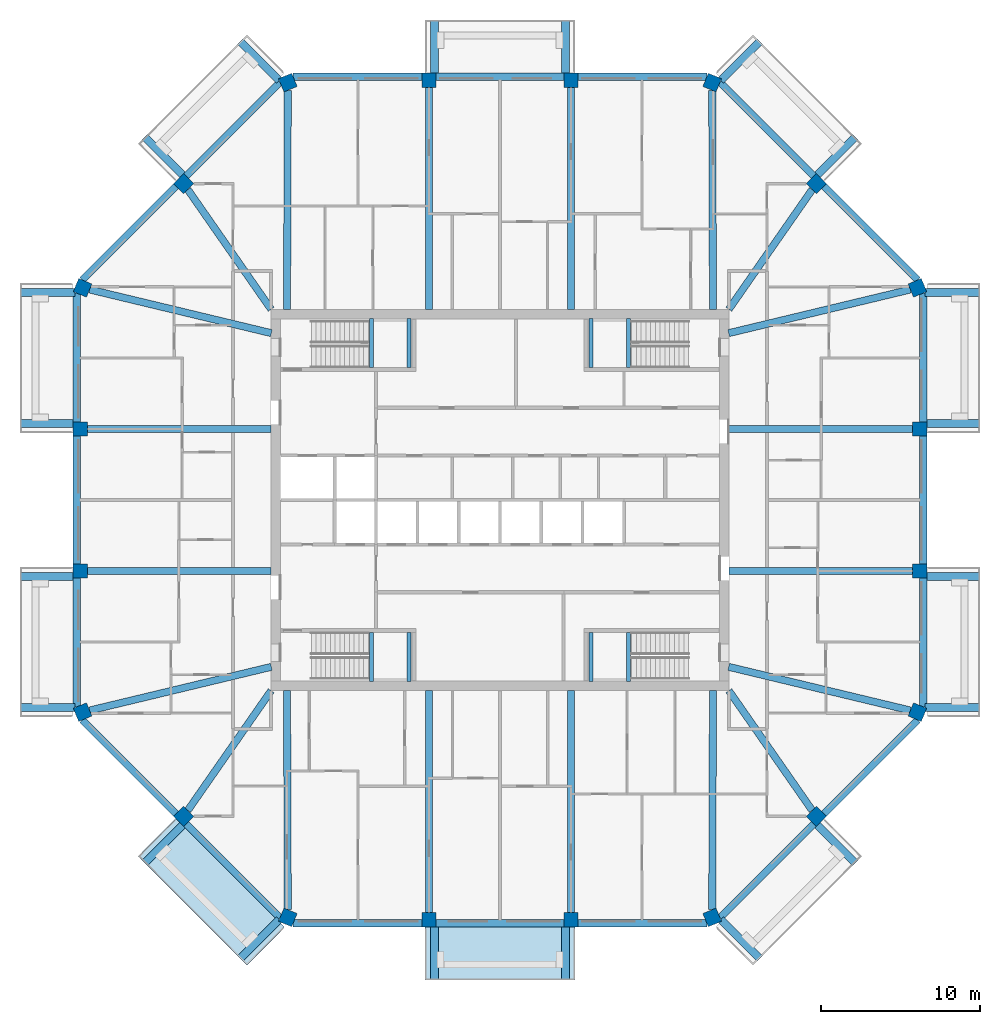
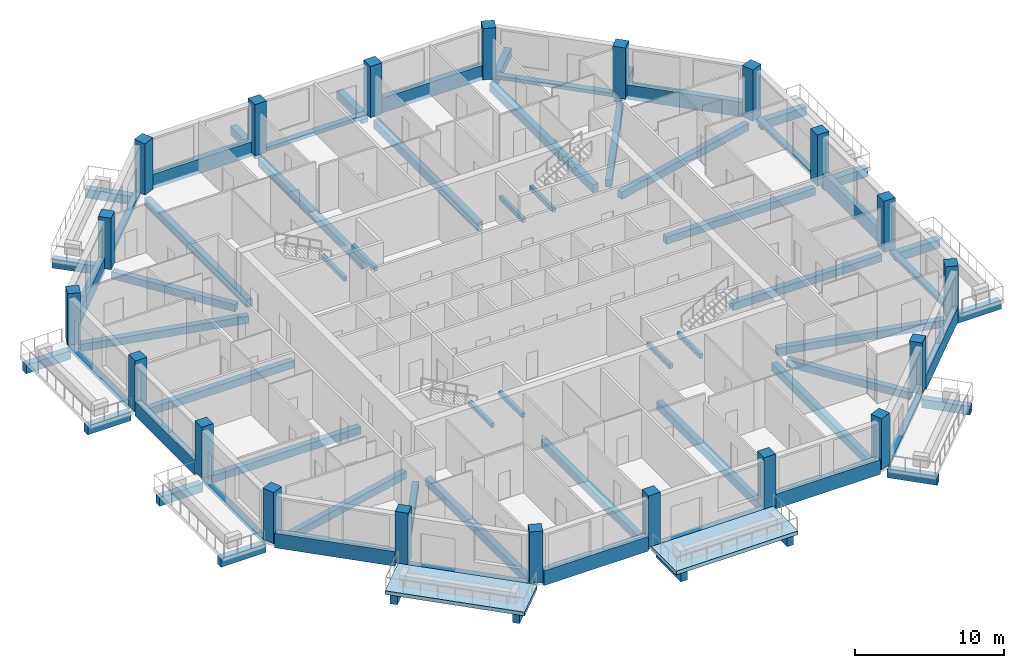
# One storey, part 1 of 12: 68 beams, 20 columns, 2 slabs.
"""IFC4 building model written with IfcOpenShell, lengths in metres."""

import ifcopenshell
import ifcopenshell.guid

model = None  # the IFC model being written
_history = None  # IfcOwnerHistory: only IFC2X3 demands one
_inside = {}  # id of a spatial element -> (the spatial element, [elements in it])
_under = {}  # id of a project, library or spatial element -> (it, [spatial elements below it])
_declared = {}  # id of a project -> (the project, [libraries it declares])
_typed = {}  # id of a type object -> (the type object, [elements of that type])
_made_of = {}  # id of a material, layer set ... -> (it, [elements and type objects made of it])


def new_model(schema):
    """Start an empty IFC model of exactly this schema.

    Asked for "IFC4X3", IfcOpenShell would pick the latest addendum, in which some entities
    have other attributes; the version numbers below select the first issue.
    IFC2X3 requires an IfcOwnerHistory on every rooted entity: one is made here for all.
    """
    global model, _history
    if schema == "IFC4X3":
        model = ifcopenshell.file(schema_version=(4, 3, 0, 0))
    else:
        model = ifcopenshell.file(schema=schema)
    _inside.clear()
    _under.clear()
    _declared.clear()
    _typed.clear()
    _made_of.clear()
    _history = None
    if model.schema == "IFC2X3":
        org = make("IfcOrganization", Name="unknown")
        user = make(
            "IfcPersonAndOrganization",
            ThePerson=make("IfcPerson", FamilyName="unknown"),
            TheOrganization=org,
        )
        app = make(
            "IfcApplication",
            ApplicationDeveloper=org,
            Version="unknown",
            ApplicationFullName="unknown",
            ApplicationIdentifier="unknown",
        )
        _history = make(
            "IfcOwnerHistory",
            OwningUser=user,
            OwningApplication=app,
            ChangeAction="ADDED",
            CreationDate=0,
        )
    return model


def make(cls, **values):
    """One entity of the class cls with the attributes given. An attribute that is None is left unset."""
    return model.create_entity(
        cls, **{name: value for name, value in values.items() if value is not None}
    )


def rooted(cls, **values):
    """An entity with a GlobalId (a new one), such as an element, a storey or a relation."""
    return make(cls, GlobalId=ifcopenshell.guid.new(), OwnerHistory=_history, **values)


def si_unit(unit_type, name, prefix=None):
    """IfcSIUnit, for example si_unit("LENGTHUNIT", "METRE", prefix="MILLI")."""
    return make("IfcSIUnit", UnitType=unit_type, Prefix=prefix, Name=name)


def assignment(units):
    """IfcUnitAssignment: the units of a project."""
    return None if units is None else make("IfcUnitAssignment", Units=units)


def point(xyz):
    """IfcCartesianPoint."""
    return None if xyz is None else make("IfcCartesianPoint", Coordinates=xyz)


def direction(xyz):
    """IfcDirection."""
    return None if xyz is None else make("IfcDirection", DirectionRatios=xyz)


def frame(location, z_axis=None, x_axis=None):
    """IfcAxis2Placement3D, a coordinate frame: its origin and axes. An axis left out is left unset."""
    return make(
        "IfcAxis2Placement3D",
        Location=point(location),
        Axis=direction(z_axis),
        RefDirection=direction(x_axis),
    )


def frame_2d(location, x_axis=None):
    """IfcAxis2Placement2D, a coordinate frame in the plane: its origin and x axis."""
    return make(
        "IfcAxis2Placement2D", Location=point(location), RefDirection=direction(x_axis)
    )


def origin():
    """The frame at (0, 0, 0) with its axes left unset."""
    return frame((0.0, 0.0, 0.0))


def origin_2d():
    """The frame at (0, 0) in the plane with its x axis left unset."""
    return frame_2d((0.0, 0.0))


def place(relative_to, where):
    """IfcLocalPlacement: puts the frame where relative to a parent placement (None: the world)."""
    return make(
        "IfcLocalPlacement", PlacementRelTo=relative_to, RelativePlacement=where
    )


def context(
    kind, dimensions, precision=None, world=None, true_north=None, identifier=None
):
    """IfcGeometricRepresentationContext, for example the 3D "Model" context."""
    return make(
        "IfcGeometricRepresentationContext",
        ContextIdentifier=identifier,
        ContextType=kind,
        CoordinateSpaceDimension=dimensions,
        Precision=precision,
        WorldCoordinateSystem=world,
        TrueNorth=true_north,
    )


def subcontext(parent, identifier, kind, view, scale=None):
    """IfcGeometricRepresentationSubContext, for example "Body" below "Model"."""
    return make(
        "IfcGeometricRepresentationSubContext",
        ContextIdentifier=identifier,
        ContextType=kind,
        ParentContext=parent,
        TargetScale=scale,
        TargetView=view,
    )


def project(units=None, contexts=None):
    """IfcProject with its units and contexts."""
    return rooted(
        "IfcProject",
        Name="project",
        RepresentationContexts=contexts,
        UnitsInContext=assignment(units),
    )


def spatial(cls, under=None, at=None, **own):
    """A site, building, storey or space (cls), placed at a placement, below another one or the project."""
    s = rooted(cls, ObjectPlacement=at, **own)
    if under is not None:
        _under.setdefault(under.id(), (under, []))[1].append(s)
    return s


def polyline(points):
    """IfcPolyline through the points."""
    return make("IfcPolyline", Points=[point(p) for p in points])


def profile(cls, at=None, kind="AREA", **sizes):
    """A parametric profile (cls). Its sizes go by their IFC names, for example OverallWidth=200.0."""
    return make(cls, ProfileType=kind, Position=at, **sizes)


def rectangle(**sizes):
    """IfcRectangleProfileDef."""
    return profile("IfcRectangleProfileDef", **sizes)


def outline(outer, holes=None, kind="AREA"):
    """IfcArbitraryClosedProfileDef: a profile drawn as a closed curve; with holes, ...WithVoids."""
    if holes is None:
        return make("IfcArbitraryClosedProfileDef", ProfileType=kind, OuterCurve=outer)
    return make(
        "IfcArbitraryProfileDefWithVoids",
        ProfileType=kind,
        OuterCurve=outer,
        InnerCurves=holes,
    )


def extrude(swept, where, along, depth):
    """IfcExtrudedAreaSolid: the profile swept, set in the frame where, extruded along a direction by depth."""
    return make(
        "IfcExtrudedAreaSolid",
        SweptArea=swept,
        Position=where,
        ExtrudedDirection=direction(along),
        Depth=depth,
    )


def shape(context_of_items, identifier, shape_type, items):
    """IfcShapeRepresentation: the items that make up one representation, for example the "Body"."""
    return make(
        "IfcShapeRepresentation",
        ContextOfItems=context_of_items,
        RepresentationIdentifier=identifier,
        RepresentationType=shape_type,
        Items=items,
    )


def material(Name=None, Category=None):
    """IfcMaterial."""
    return make("IfcMaterial", Name=Name, Category=Category)


def layer(
    of_material, thickness, ventilated=None, Name=None, Category=None, Priority=None
):
    """IfcMaterialLayer: one layer of a wall or slab, of a material (None: an air gap)."""
    return make(
        "IfcMaterialLayer",
        Material=of_material,
        LayerThickness=thickness,
        IsVentilated=ventilated,
        Name=Name,
        Category=Category,
        Priority=Priority,
    )


def layer_set(layers, Name=None):
    """IfcMaterialLayerSet."""
    return make("IfcMaterialLayerSet", MaterialLayers=layers, LayerSetName=Name)


def material_profile(
    of_material, cross_section, Name=None, Category=None, Priority=None
):
    """IfcMaterialProfile: a cross section and its material."""
    return make(
        "IfcMaterialProfile",
        Name=Name,
        Material=of_material,
        Profile=cross_section,
        Priority=Priority,
        Category=Category,
    )


def profile_set(profiles, Name=None, composite=None):
    """IfcMaterialProfileSet."""
    return make(
        "IfcMaterialProfileSet",
        Name=Name,
        MaterialProfiles=profiles,
        CompositeProfile=composite,
    )


def made_of(thing, what):
    """Note that an element or type object is made of a material, layer set ...; save() writes the relation."""
    if what is not None:
        _made_of.setdefault(what.id(), (what, []))[1].append(thing)
    return thing


def type_object(cls, material=None, **own):
    """A type object (cls), such as IfcWallType, which elements share."""
    return made_of(rooted(cls, **own), material)


def element(
    cls,
    number,
    at=None,
    inside=None,
    cuts=None,
    type_object=None,
    material=None,
    context=None,
    identifier="Body",
    shape_type=None,
    held_by="IfcProductDefinitionShape",
    body=None,
    shapes=None,
    **own,
):
    """One element of the class cls, such as IfcWall. Its Tag is "e" and its number.

    at: its placement. inside: the storey or other place that contains it. cuts: it is an
    opening in that element (IfcRelVoidsElement). A single representation is given by context,
    identifier, shape_type and body (its items); several are given by shapes. held_by: the class
    of the entity that holds the representations. save() writes the other relations.
    """
    e = rooted(cls, Tag="e%d" % number, ObjectPlacement=at, **own)
    if body is not None:
        shapes = [shape(context, identifier, shape_type, body)]
    if shapes is not None:
        e.Representation = make(held_by, Representations=shapes)
    if inside is not None:
        _inside.setdefault(inside.id(), (inside, []))[1].append(e)
    if cuts is not None:
        rooted(
            "IfcRelVoidsElement", RelatingBuildingElement=cuts, RelatedOpeningElement=e
        )
    if type_object is not None:
        _typed.setdefault(type_object.id(), (type_object, []))[1].append(e)
    return made_of(e, material)


def aggregate(whole, parts):
    """IfcRelAggregates: a whole, such as a stair, and the parts it consists of."""
    return rooted("IfcRelAggregates", RelatingObject=whole, RelatedObjects=parts)


def save(model, path):
    """Write the relations noted so far, then the file.

    IfcRelAggregates (storeys below a building ...), IfcRelContainedInSpatialStructure (elements
    in a storey), IfcRelDefinesByType, IfcRelAssociatesMaterial and IfcRelDeclares: one each for
    every whole, place, type object, material and project.
    """
    for whole, parts in _under.values():
        aggregate(whole, parts)
    for where, things in _inside.values():
        rooted(
            "IfcRelContainedInSpatialStructure",
            RelatedElements=things,
            RelatingStructure=where,
        )
    for kind, things in _typed.values():
        rooted("IfcRelDefinesByType", RelatedObjects=things, RelatingType=kind)
    for what, things in _made_of.values():
        rooted("IfcRelAssociatesMaterial", RelatedObjects=things, RelatingMaterial=what)
    for by, libraries in _declared.values():
        rooted("IfcRelDeclares", RelatingContext=by, RelatedDefinitions=libraries)
    model.write(path)


model = new_model("IFC4")

# Units and contexts
model_context = context("Model", 3, precision=1e-05, world=origin(), true_north=direction((0.0, 1.0)))
body_context = subcontext(model_context, "Body", "Model", "MODEL_VIEW")
ifc_project = project(units=[si_unit("LENGTHUNIT", "METRE"), si_unit("AREAUNIT", "SQUARE_METRE"), si_unit("VOLUMEUNIT", "CUBIC_METRE"), si_unit("PLANEANGLEUNIT", "RADIAN"), si_unit("MASSUNIT", "GRAM", prefix="KILO")], contexts=[model_context])

# Site, building, storey
site_placement = place(None, origin())
site = spatial("IfcSite", under=ifc_project, at=site_placement, CompositionType="ELEMENT")
building_placement = place(site_placement, origin())
building = spatial("IfcBuilding", under=site, at=building_placement, Name="Msitu Wima Residences", CompositionType="ELEMENT")
storey_placement = place(building_placement, frame((0.0, 0.0, 272.699951171875)))
storey = spatial("IfcBuildingStorey", under=building, at=storey_placement, Name="L63", CompositionType="ELEMENT", Elevation=272.699951171875)

# Columns
ifc_material_1 = material(Name="Concrete C50/60", Category="concrete")
ifc_material_profile_1 = material_profile(ifc_material_1, rectangle(XDim=0.89990234375, YDim=0.89990234375, at=origin_2d()), Name="RC 900x900")
ifc_profile_set_1 = profile_set([ifc_material_profile_1], Name="Concrete C50/60")
column_type = type_object("IfcColumnType", Name="Column RC 900x900 Concrete C50/60", PredefinedType="COLUMN", material=ifc_profile_set_1)
for number, where, z_axis, x_axis, name in (
    (1, (26.261962890625, -13.3486328125, 0.0), (0.0, 0.0, 1.0), (0.382683496864, 0.923879505795, 0.0), "Column L63 C-E0"),
    (2, (26.39990234375, -4.46875, 0.0), (0.0, 0.0, 1.0), (0.0, 1.0, 0.0), "Column L63 C-E1"),
    (3, (26.39990234375, 4.46875, 0.0), (0.0, 0.0, 1.0), (0.0, 1.0, 0.0), "Column L63 C-E2"),
    (4, (26.261962890625, 13.3486328125, 0.0), (0.0, 0.0, 1.0), (-0.382683496864, 0.923879505795, 0.0), "Column L63 C-NE0"),
    (5, (19.90283203125, 19.90283203125, 0.0), (0.0, 0.0, 1.0), (-0.707106781187, 0.707106781187, 0.0), "Column L63 C-NE1"),
    (6, (13.3486328125, 26.261962890625, 0.0), (0.0, 0.0, 1.0), (-0.923879505795, 0.382683496864, 0.0), "Column L63 C-N0"),
    (7, (4.46875, 26.39990234375, 0.0), (0.0, 0.0, 1.0), (-1.0, 0.0, 0.0), "Column L63 C-N1"),
    (8, (-4.46875, 26.39990234375, 0.0), (0.0, 0.0, 1.0), (-1.0, 0.0, 0.0), "Column L63 C-N2"),
    (9, (-13.3486328125, 26.261962890625, 0.0), (0.0, 0.0, 1.0), (-0.923879505795, -0.382683496864, 0.0), "Column L63 C-NW0"),
    (10, (-19.90283203125, 19.90283203125, 0.0), (0.0, 0.0, 1.0), (-0.707106781187, -0.707106781187, 0.0), "Column L63 C-NW1"),
    (11, (-26.261962890625, 13.3486328125, 0.0), (0.0, 0.0, 1.0), (-0.382683496864, -0.923879505795, 0.0), "Column L63 C-W0"),
    (12, (-26.39990234375, 4.46875, 0.0), (0.0, 0.0, 1.0), (0.0, -1.0, 0.0), "Column L63 C-W1"),
    (13, (-26.39990234375, -4.46875, 0.0), (0.0, 0.0, 1.0), (0.0, -1.0, 0.0), "Column L63 C-W2"),
    (14, (-26.261962890625, -13.3486328125, 0.0), (0.0, 0.0, 1.0), (0.382683496864, -0.923879505795, 0.0), "Column L63 C-SW0"),
    (15, (-19.90283203125, -19.90283203125, 0.0), (0.0, 0.0, 1.0), (0.707106781187, -0.707106781187, 0.0), "Column L63 C-SW1"),
    (16, (-13.3486328125, -26.261962890625, 0.0), (0.0, 0.0, 1.0), (0.923879505795, -0.382683496864, 0.0), "Column L63 C-S0"),
    (17, (-4.46875, -26.39990234375, 0.0), (0.0, 0.0, 1.0), (1.0, 0.0, 0.0), "Column L63 C-S1"),
    (18, (4.46875, -26.39990234375, 0.0), (0.0, 0.0, 1.0), (1.0, 0.0, 0.0), "Column L63 C-S2"),
    (19, (13.3486328125, -26.261962890625, 0.0), (0.0, 0.0, 1.0), (0.923879505795, 0.382683496864, 0.0), "Column L63 C-SE0"),
    (20, (19.90283203125, -19.90283203125, 0.0), (0.0, 0.0, 1.0), (0.707106781187, 0.707106781187, 0.0), "Column L63 C-SE1"),
):
    element("IfcColumn", number, at=place(storey_placement, frame(where, z_axis=z_axis, x_axis=x_axis)), inside=storey, type_object=column_type, Name=name, PredefinedType="COLUMN", context=body_context, shape_type="SweptSolid", body=[
        extrude(rectangle(XDim=0.89990234375, YDim=0.89990234375, at=origin_2d()), origin(), (0.0, 0.0, 1.0), 4.199951171875),
    ])

# Beams
ifc_material_profile_2 = material_profile(ifc_material_1, rectangle(XDim=0.449951171875, YDim=0.60009765625, at=origin_2d()), Name="RC 450x600")
ifc_profile_set_2 = profile_set([ifc_material_profile_2], Name="Concrete C50/60")
beam_type_1 = type_object("IfcBeamType", Name="Beam RC 450x600 Concrete C50/60", PredefinedType="BEAM", material=ifc_profile_set_2)
beam_1_placement = place(storey_placement, frame((25.819091796875, -13.242431640625, -0.550048828125), z_axis=(-0.972353359268, 0.233514335148, 0.0), x_axis=(-0.233514335148, -0.972353359268, 0.0)))
element("IfcBeam", 21, at=beam_1_placement, inside=storey, type_object=beam_type_1, Name="Beam L63 C-E0", PredefinedType="BEAM", context=body_context, shape_type="SweptSolid", body=[
    extrude(rectangle(XDim=0.449951171875, YDim=0.60009765625, at=origin_2d()), origin(), (0.0, 0.0, 1.0), 11.755615234375),
])
for number, where, z_axis, x_axis, name in (
    (22, (25.949951171875, -4.46875, -0.550048828125), (-1.0, 0.0, 0.0), (0.0, -1.0, 0.0), "Beam L63 C-E1"),
    (23, (25.949951171875, 4.46875, -0.550048828125), (-1.0, 0.0, 0.0), (0.0, -1.0, 0.0), "Beam L63 C-E2"),
):
    element("IfcBeam", number, at=place(storey_placement, frame(where, z_axis=z_axis, x_axis=x_axis)), inside=storey, type_object=beam_type_1, Name=name, PredefinedType="BEAM", context=body_context, shape_type="SweptSolid", body=[
        extrude(rectangle(XDim=0.449951171875, YDim=0.60009765625, at=origin_2d()), origin(), (0.0, 0.0, 1.0), 11.550048828125),
    ])
beam_2_placement = place(storey_placement, frame((25.819091796875, 13.242431640625, -0.550048828125), z_axis=(-0.972353359268, -0.233514335148, 0.0), x_axis=(0.233514335148, -0.972353359268, 0.0)))
element("IfcBeam", 24, at=beam_2_placement, inside=storey, type_object=beam_type_1, Name="Beam L63 C-NE0", PredefinedType="BEAM", context=body_context, shape_type="SweptSolid", body=[
    extrude(rectangle(XDim=0.449951171875, YDim=0.60009765625, at=origin_2d()), origin(), (0.0, 0.0, 1.0), 11.755615234375),
])
for number, where, z_axis, x_axis, name in (
    (25, (19.6416015625, 19.52783203125, -0.550048828125), (-0.571427822633, -0.820652328042, 0.0), (0.820652328042, -0.571427822633, 0.0), "Beam L63 C-NE1"),
    (26, (-19.6416015625, 19.52783203125, -0.550048828125), (0.571427822633, -0.820652328042, 0.0), (0.820652328042, 0.571427822633, 0.0), "Beam L63 C-NW1"),
):
    element("IfcBeam", number, at=place(storey_placement, frame(where, z_axis=z_axis, x_axis=x_axis)), inside=storey, type_object=beam_type_1, Name=name, PredefinedType="BEAM", context=body_context, shape_type="SweptSolid", body=[
        extrude(rectangle(XDim=0.449951171875, YDim=0.60009765625, at=origin_2d()), origin(), (0.0, 0.0, 1.0), 9.173095703125),
    ])
beam_3_placement = place(storey_placement, frame((-25.819091796875, 13.242431640625, -0.550048828125), z_axis=(0.972353359268, -0.233514335148, 0.0), x_axis=(0.233514335148, 0.972353359268, 0.0)))
element("IfcBeam", 27, at=beam_3_placement, inside=storey, type_object=beam_type_1, Name="Beam L63 C-W0", PredefinedType="BEAM", context=body_context, shape_type="SweptSolid", body=[
    extrude(rectangle(XDim=0.449951171875, YDim=0.60009765625, at=origin_2d()), origin(), (0.0, 0.0, 1.0), 11.755615234375),
])
for number, where, z_axis, x_axis, name in (
    (28, (-25.949951171875, 4.46875, -0.550048828125), (1.0, 0.0, 0.0), (0.0, 1.0, 0.0), "Beam L63 C-W1"),
    (29, (-25.949951171875, -4.46875, -0.550048828125), (1.0, 0.0, 0.0), (0.0, 1.0, 0.0), "Beam L63 C-W2"),
):
    element("IfcBeam", number, at=place(storey_placement, frame(where, z_axis=z_axis, x_axis=x_axis)), inside=storey, type_object=beam_type_1, Name=name, PredefinedType="BEAM", context=body_context, shape_type="SweptSolid", body=[
        extrude(rectangle(XDim=0.449951171875, YDim=0.60009765625, at=origin_2d()), origin(), (0.0, 0.0, 1.0), 11.550048828125),
    ])
beam_4_placement = place(storey_placement, frame((-25.819091796875, -13.242431640625, -0.550048828125), z_axis=(0.972353359268, 0.233514335148, 0.0), x_axis=(-0.233514335148, 0.972353359268, 0.0)))
element("IfcBeam", 30, at=beam_4_placement, inside=storey, type_object=beam_type_1, Name="Beam L63 C-SW0", PredefinedType="BEAM", context=body_context, shape_type="SweptSolid", body=[
    extrude(rectangle(XDim=0.449951171875, YDim=0.60009765625, at=origin_2d()), origin(), (0.0, 0.0, 1.0), 11.755615234375),
])
for number, where, z_axis, x_axis, name in (
    (31, (-19.6416015625, -19.52783203125, -0.550048828125), (0.571427822633, 0.820652328042, 0.0), (-0.820652328042, 0.571427822633, 0.0), "Beam L63 C-SW1"),
    (32, (19.6416015625, -19.52783203125, -0.550048828125), (-0.571427822633, 0.820652328042, 0.0), (-0.820652328042, -0.571427822633, 0.0), "Beam L63 C-SE1"),
):
    element("IfcBeam", number, at=place(storey_placement, frame(where, z_axis=z_axis, x_axis=x_axis)), inside=storey, type_object=beam_type_1, Name=name, PredefinedType="BEAM", context=body_context, shape_type="SweptSolid", body=[
        extrude(rectangle(XDim=0.449951171875, YDim=0.60009765625, at=origin_2d()), origin(), (0.0, 0.0, 1.0), 9.173095703125),
    ])
ifc_material_profile_3 = material_profile(ifc_material_1, rectangle(XDim=0.449951171875, YDim=0.64990234375, at=origin_2d()), Name="RC 450x650")
ifc_profile_set_3 = profile_set([ifc_material_profile_3], Name="Concrete C50/60")
beam_type_2 = type_object("IfcBeamType", Name="Beam RC 450x650 Concrete C50/60", PredefinedType="BEAM", material=ifc_profile_set_3)
beam_5_placement = place(storey_placement, frame((13.3505859375, 25.774169921875, -0.574951171875), z_axis=(0.003594933206, -0.999993538207, 0.0), x_axis=(0.999993538207, 0.003594933206, 0.0)))
element("IfcBeam", 33, at=beam_5_placement, inside=storey, type_object=beam_type_2, Name="Beam L63 C-N0", PredefinedType="BEAM", context=body_context, shape_type="SweptSolid", body=[
    extrude(rectangle(XDim=0.449951171875, YDim=0.64990234375, at=origin_2d()), origin(), (0.0, 0.0, 1.0), 13.7861328125),
])
for number, where, z_axis, x_axis, name in (
    (34, (4.46875, 25.949951171875, -0.574951171875), (0.0, -1.0, 0.0), (1.0, 0.0, 0.0), "Beam L63 C-N1"),
    (35, (-4.46875, 25.949951171875, -0.574951171875), (0.0, -1.0, 0.0), (1.0, 0.0, 0.0), "Beam L63 C-N2"),
):
    element("IfcBeam", number, at=place(storey_placement, frame(where, z_axis=z_axis, x_axis=x_axis)), inside=storey, type_object=beam_type_2, Name=name, PredefinedType="BEAM", context=body_context, shape_type="SweptSolid", body=[
        extrude(rectangle(XDim=0.449951171875, YDim=0.64990234375, at=origin_2d()), origin(), (0.0, 0.0, 1.0), 13.949951171875),
    ])
for number, where, z_axis, x_axis, name in (
    (36, (-13.3505859375, 25.774169921875, -0.574951171875), (-0.003594933206, -0.999993538207, 0.0), (0.999993538207, -0.003594933206, 0.0), "Beam L63 C-NW0"),
    (37, (-13.3505859375, -25.774169921875, -0.574951171875), (-0.003594933206, 0.999993538207, 0.0), (-0.999993538207, -0.003594933206, 0.0), "Beam L63 C-S0"),
):
    element("IfcBeam", number, at=place(storey_placement, frame(where, z_axis=z_axis, x_axis=x_axis)), inside=storey, type_object=beam_type_2, Name=name, PredefinedType="BEAM", context=body_context, shape_type="SweptSolid", body=[
        extrude(rectangle(XDim=0.449951171875, YDim=0.64990234375, at=origin_2d()), origin(), (0.0, 0.0, 1.0), 13.7861328125),
    ])
for number, where, z_axis, x_axis, name in (
    (38, (-4.46875, -25.949951171875, -0.574951171875), (0.0, 1.0, 0.0), (-1.0, 0.0, 0.0), "Beam L63 C-S1"),
    (39, (4.46875, -25.949951171875, -0.574951171875), (0.0, 1.0, 0.0), (-1.0, 0.0, 0.0), "Beam L63 C-S2"),
):
    element("IfcBeam", number, at=place(storey_placement, frame(where, z_axis=z_axis, x_axis=x_axis)), inside=storey, type_object=beam_type_2, Name=name, PredefinedType="BEAM", context=body_context, shape_type="SweptSolid", body=[
        extrude(rectangle(XDim=0.449951171875, YDim=0.64990234375, at=origin_2d()), origin(), (0.0, 0.0, 1.0), 13.949951171875),
    ])
beam_6_placement = place(storey_placement, frame((13.3505859375, -25.774169921875, -0.574951171875), z_axis=(0.003594933206, 0.999993538207, 0.0), x_axis=(-0.999993538207, 0.003594933206, 0.0)))
element("IfcBeam", 40, at=beam_6_placement, inside=storey, type_object=beam_type_2, Name="Beam L63 C-SE0", PredefinedType="BEAM", context=body_context, shape_type="SweptSolid", body=[
    extrude(rectangle(XDim=0.449951171875, YDim=0.64990234375, at=origin_2d()), origin(), (0.0, 0.0, 1.0), 13.7861328125),
])
ifc_material_profile_4 = material_profile(ifc_material_1, rectangle(XDim=0.5, YDim=0.699951171875, at=origin_2d()), Name="RC 500x700")
ifc_profile_set_4 = profile_set([ifc_material_profile_4], Name="Concrete C50/60")
beam_type_3 = type_object("IfcBeamType", Name="Cantilever beam RC 500x700 Concrete C50/60", PredefinedType="BEAM", material=ifc_profile_set_4)
beam_7_placement = place(storey_placement, frame((26.73095703125, -13.055908203125, -0.64990234375), z_axis=(1.0, 0.0, 0.0), x_axis=(0.0, 1.0, 0.0)))
element("IfcBeam", 41, at=beam_7_placement, inside=storey, type_object=beam_type_3, Name="Cantilever beam L63 BA-E0 A", PredefinedType="BEAM", context=body_context, shape_type="SweptSolid", body=[
    extrude(rectangle(XDim=0.5, YDim=0.699951171875, at=origin_2d()), origin(), (0.0, 0.0, 1.0), 3.468994140625),
])
for number, where, z_axis, x_axis, name in (
    (42, (26.85009765625, -4.818603515625, -0.64990234375), (1.0, 0.0, 0.0), (0.0, 1.0, 0.0), "Cantilever beam L63 BA-E0 B"),
    (43, (26.85009765625, 4.818603515625, -0.64990234375), (1.0, 0.0, 0.0), (0.0, 1.0, 0.0), "Cantilever beam L63 BA-E2 A"),
):
    element("IfcBeam", number, at=place(storey_placement, frame(where, z_axis=z_axis, x_axis=x_axis)), inside=storey, type_object=beam_type_3, Name=name, PredefinedType="BEAM", context=body_context, shape_type="SweptSolid", body=[
        extrude(rectangle(XDim=0.5, YDim=0.699951171875, at=origin_2d()), origin(), (0.0, 0.0, 1.0), 3.349853515625),
    ])
beam_8_placement = place(storey_placement, frame((26.73095703125, 13.055908203125, -0.64990234375), z_axis=(1.0, 0.0, 0.0), x_axis=(0.0, 1.0, 0.0)))
element("IfcBeam", 44, at=beam_8_placement, inside=storey, type_object=beam_type_3, Name="Cantilever beam L63 BA-E2 B", PredefinedType="BEAM", context=body_context, shape_type="SweptSolid", body=[
    extrude(rectangle(XDim=0.5, YDim=0.699951171875, at=origin_2d()), origin(), (0.0, 0.0, 1.0), 3.468994140625),
])
beam_9_placement = place(storey_placement, frame((19.9736328125, 20.46875, -0.64990234375), z_axis=(0.707143219659, 0.707070340836, 0.0), x_axis=(-0.707070340836, 0.707143219659, 0.0)))
element("IfcBeam", 45, at=beam_9_placement, inside=storey, type_object=beam_type_3, Name="Cantilever beam L63 BA-NE1 A", PredefinedType="BEAM", context=body_context, shape_type="SweptSolid", body=[
    extrude(rectangle(XDim=0.5, YDim=0.699951171875, at=origin_2d()), origin(), (0.0, 0.0, 1.0), 3.349853515625),
])
beam_10_placement = place(storey_placement, frame((13.887451171875, 26.386474609375, -0.64990234375), z_axis=(0.707071592116, 0.707141968506, 0.0), x_axis=(-0.707141968506, 0.707071592116, 0.0)))
element("IfcBeam", 46, at=beam_10_placement, inside=storey, type_object=beam_type_3, Name="Cantilever beam L63 BA-NE1 B", PredefinedType="BEAM", context=body_context, shape_type="SweptSolid", body=[
    extrude(rectangle(XDim=0.5, YDim=0.699951171875, at=origin_2d()), origin(), (0.0, 0.0, 1.0), 3.468994140625),
])
for number, where, z_axis, x_axis, name in (
    (47, (4.11865234375, 26.85009765625, -0.64990234375), (0.0, 1.0, 0.0), (-1.0, 0.0, 0.0), "Cantilever beam L63 BA-N1 A"),
    (48, (-4.11865234375, 26.85009765625, -0.64990234375), (0.0, 1.0, 0.0), (-1.0, 0.0, 0.0), "Cantilever beam L63 BA-N1 B"),
):
    element("IfcBeam", number, at=place(storey_placement, frame(where, z_axis=z_axis, x_axis=x_axis)), inside=storey, type_object=beam_type_3, Name=name, PredefinedType="BEAM", context=body_context, shape_type="SweptSolid", body=[
        extrude(rectangle(XDim=0.5, YDim=0.699951171875, at=origin_2d()), origin(), (0.0, 0.0, 1.0), 3.349853515625),
    ])
beam_11_placement = place(storey_placement, frame((-13.887451171875, 26.386474609375, -0.64990234375), z_axis=(-0.707071592116, 0.707141968506, 0.0), x_axis=(-0.707141968506, -0.707071592116, 0.0)))
element("IfcBeam", 49, at=beam_11_placement, inside=storey, type_object=beam_type_3, Name="Cantilever beam L63 BA-NW0 A", PredefinedType="BEAM", context=body_context, shape_type="SweptSolid", body=[
    extrude(rectangle(XDim=0.5, YDim=0.699951171875, at=origin_2d()), origin(), (0.0, 0.0, 1.0), 3.468994140625),
])
beam_12_placement = place(storey_placement, frame((-19.9736328125, 20.46875, -0.64990234375), z_axis=(-0.707143219659, 0.707070340836, 0.0), x_axis=(-0.707070340836, -0.707143219659, 0.0)))
element("IfcBeam", 50, at=beam_12_placement, inside=storey, type_object=beam_type_3, Name="Cantilever beam L63 BA-NW0 B", PredefinedType="BEAM", context=body_context, shape_type="SweptSolid", body=[
    extrude(rectangle(XDim=0.5, YDim=0.699951171875, at=origin_2d()), origin(), (0.0, 0.0, 1.0), 3.349853515625),
])
beam_13_placement = place(storey_placement, frame((-26.73095703125, 13.055908203125, -0.64990234375), z_axis=(-1.0, 0.0, 0.0), x_axis=(0.0, -1.0, 0.0)))
element("IfcBeam", 51, at=beam_13_placement, inside=storey, type_object=beam_type_3, Name="Cantilever beam L63 BA-W0 A", PredefinedType="BEAM", context=body_context, shape_type="SweptSolid", body=[
    extrude(rectangle(XDim=0.5, YDim=0.699951171875, at=origin_2d()), origin(), (0.0, 0.0, 1.0), 3.468994140625),
])
for number, where, z_axis, x_axis, name in (
    (52, (-26.85009765625, 4.818603515625, -0.64990234375), (-1.0, 0.0, 0.0), (0.0, -1.0, 0.0), "Cantilever beam L63 BA-W0 B"),
    (53, (-26.85009765625, -4.818603515625, -0.64990234375), (-1.0, 0.0, 0.0), (0.0, -1.0, 0.0), "Cantilever beam L63 BA-W2 A"),
):
    element("IfcBeam", number, at=place(storey_placement, frame(where, z_axis=z_axis, x_axis=x_axis)), inside=storey, type_object=beam_type_3, Name=name, PredefinedType="BEAM", context=body_context, shape_type="SweptSolid", body=[
        extrude(rectangle(XDim=0.5, YDim=0.699951171875, at=origin_2d()), origin(), (0.0, 0.0, 1.0), 3.349853515625),
    ])
beam_14_placement = place(storey_placement, frame((-26.73095703125, -13.055908203125, -0.64990234375), z_axis=(-1.0, 0.0, 0.0), x_axis=(0.0, -1.0, 0.0)))
element("IfcBeam", 54, at=beam_14_placement, inside=storey, type_object=beam_type_3, Name="Cantilever beam L63 BA-W2 B", PredefinedType="BEAM", context=body_context, shape_type="SweptSolid", body=[
    extrude(rectangle(XDim=0.5, YDim=0.699951171875, at=origin_2d()), origin(), (0.0, 0.0, 1.0), 3.468994140625),
])
beam_15_placement = place(storey_placement, frame((-19.9736328125, -20.46875, -0.64990234375), z_axis=(-0.707143219659, -0.707070340836, 0.0), x_axis=(0.707070340836, -0.707143219659, 0.0)))
element("IfcBeam", 55, at=beam_15_placement, inside=storey, type_object=beam_type_3, Name="Cantilever beam L63 BA-SW1 A", PredefinedType="BEAM", context=body_context, shape_type="SweptSolid", body=[
    extrude(rectangle(XDim=0.5, YDim=0.699951171875, at=origin_2d()), origin(), (0.0, 0.0, 1.0), 3.349853515625),
])
beam_16_placement = place(storey_placement, frame((-13.887451171875, -26.386474609375, -0.64990234375), z_axis=(-0.707071592116, -0.707141968506, 0.0), x_axis=(0.707141968506, -0.707071592116, 0.0)))
element("IfcBeam", 56, at=beam_16_placement, inside=storey, type_object=beam_type_3, Name="Cantilever beam L63 BA-SW1 B", PredefinedType="BEAM", context=body_context, shape_type="SweptSolid", body=[
    extrude(rectangle(XDim=0.5, YDim=0.699951171875, at=origin_2d()), origin(), (0.0, 0.0, 1.0), 3.468994140625),
])
for number, where, z_axis, x_axis, name in (
    (57, (-4.11865234375, -26.85009765625, -0.64990234375), (0.0, -1.0, 0.0), (1.0, 0.0, 0.0), "Cantilever beam L63 BA-S1 A"),
    (58, (4.11865234375, -26.85009765625, -0.64990234375), (0.0, -1.0, 0.0), (1.0, 0.0, 0.0), "Cantilever beam L63 BA-S1 B"),
):
    element("IfcBeam", number, at=place(storey_placement, frame(where, z_axis=z_axis, x_axis=x_axis)), inside=storey, type_object=beam_type_3, Name=name, PredefinedType="BEAM", context=body_context, shape_type="SweptSolid", body=[
        extrude(rectangle(XDim=0.5, YDim=0.699951171875, at=origin_2d()), origin(), (0.0, 0.0, 1.0), 3.349853515625),
    ])
beam_17_placement = place(storey_placement, frame((13.887451171875, -26.386474609375, -0.64990234375), z_axis=(0.707071592116, -0.707141968506, 0.0), x_axis=(0.707141968506, 0.707071592116, 0.0)))
element("IfcBeam", 59, at=beam_17_placement, inside=storey, type_object=beam_type_3, Name="Cantilever beam L63 BA-SE0 A", PredefinedType="BEAM", context=body_context, shape_type="SweptSolid", body=[
    extrude(rectangle(XDim=0.5, YDim=0.699951171875, at=origin_2d()), origin(), (0.0, 0.0, 1.0), 3.468994140625),
])
beam_18_placement = place(storey_placement, frame((19.9736328125, -20.46875, -0.64990234375), z_axis=(0.707143219659, -0.707070340836, 0.0), x_axis=(0.707070340836, 0.707143219659, 0.0)))
element("IfcBeam", 60, at=beam_18_placement, inside=storey, type_object=beam_type_3, Name="Cantilever beam L63 BA-SE0 B", PredefinedType="BEAM", context=body_context, shape_type="SweptSolid", body=[
    extrude(rectangle(XDim=0.5, YDim=0.699951171875, at=origin_2d()), origin(), (0.0, 0.0, 1.0), 3.349853515625),
])
ifc_material_profile_5 = material_profile(ifc_material_1, rectangle(XDim=0.449951171875, YDim=0.300048828125, at=origin_2d()), Name="RC 450x300")
ifc_profile_set_5 = profile_set([ifc_material_profile_5], Name="Concrete C50/60")
beam_type_4 = type_object("IfcBeamType", Name="Edge beam RC 450x300 Concrete C50/60", PredefinedType="SPANDREL", material=ifc_profile_set_5)
for number, where, z_axis, x_axis, name in (
    (61, (26.625, -13.02392578125, -0.14990234375), (0.0, 1.0, 0.0), (-1.0, 0.0, 0.0), "Spandrel L63 E0"),
    (62, (26.625, 4.918701171875, -0.14990234375), (0.0, 1.0, 0.0), (-1.0, 0.0, 0.0), "Spandrel L63 E2"),
):
    element("IfcBeam", number, at=place(storey_placement, frame(where, z_axis=z_axis, x_axis=x_axis)), inside=storey, type_object=beam_type_4, Name=name, PredefinedType="SPANDREL", context=body_context, shape_type="SweptSolid", body=[
        extrude(rectangle(XDim=0.449951171875, YDim=0.300048828125, at=origin_2d()), origin(), (0.0, 0.0, 1.0), 8.105224609375),
    ])
beam_19_placement = place(storey_placement, frame((19.743896484375, 20.380126953125, -0.14990234375), z_axis=(-0.707106781187, 0.707106781187, 0.0), x_axis=(-0.707106781187, -0.707106781187, 0.0)))
element("IfcBeam", 63, at=beam_19_placement, inside=storey, type_object=beam_type_4, Name="Spandrel L63 NE1", PredefinedType="SPANDREL", context=body_context, shape_type="SweptSolid", body=[
    extrude(rectangle(XDim=0.449951171875, YDim=0.300048828125, at=origin_2d()), origin(), (0.0, 0.0, 1.0), 8.3564453125),
])
beam_20_placement = place(storey_placement, frame((4.0185546875, 26.625, -0.14990234375), z_axis=(-1.0, 0.0, 0.0), x_axis=(0.0, -1.0, 0.0)))
element("IfcBeam", 64, at=beam_20_placement, inside=storey, type_object=beam_type_4, Name="Spandrel L63 N1", PredefinedType="SPANDREL", context=body_context, shape_type="SweptSolid", body=[
    extrude(rectangle(XDim=0.449951171875, YDim=0.300048828125, at=origin_2d()), origin(), (0.0, 0.0, 1.0), 8.037109375),
])
beam_21_placement = place(storey_placement, frame((-13.8349609375, 26.2890625, -0.14990234375), z_axis=(-0.707106781187, -0.707106781187, 0.0), x_axis=(0.707106781187, -0.707106781187, 0.0)))
element("IfcBeam", 65, at=beam_21_placement, inside=storey, type_object=beam_type_4, Name="Spandrel L63 NW0", PredefinedType="SPANDREL", context=body_context, shape_type="SweptSolid", body=[
    extrude(rectangle(XDim=0.449951171875, YDim=0.300048828125, at=origin_2d()), origin(), (0.0, 0.0, 1.0), 8.3564453125),
])
for number, where, z_axis, x_axis, name in (
    (66, (-26.625, 13.02392578125, -0.14990234375), (0.0, -1.0, 0.0), (1.0, 0.0, 0.0), "Spandrel L63 W0"),
    (67, (-26.625, -4.918701171875, -0.14990234375), (0.0, -1.0, 0.0), (1.0, 0.0, 0.0), "Spandrel L63 W2"),
):
    element("IfcBeam", number, at=place(storey_placement, frame(where, z_axis=z_axis, x_axis=x_axis)), inside=storey, type_object=beam_type_4, Name=name, PredefinedType="SPANDREL", context=body_context, shape_type="SweptSolid", body=[
        extrude(rectangle(XDim=0.449951171875, YDim=0.300048828125, at=origin_2d()), origin(), (0.0, 0.0, 1.0), 8.105224609375),
    ])
beam_22_placement = place(storey_placement, frame((-19.743896484375, -20.380126953125, -0.14990234375), z_axis=(0.707106781187, -0.707106781187, 0.0), x_axis=(0.707106781187, 0.707106781187, 0.0)))
element("IfcBeam", 68, at=beam_22_placement, inside=storey, type_object=beam_type_4, Name="Spandrel L63 SW1", PredefinedType="SPANDREL", context=body_context, shape_type="SweptSolid", body=[
    extrude(rectangle(XDim=0.449951171875, YDim=0.300048828125, at=origin_2d()), origin(), (0.0, 0.0, 1.0), 8.3564453125),
])
beam_23_placement = place(storey_placement, frame((-4.0185546875, -26.625, -0.14990234375), z_axis=(1.0, 0.0, 0.0), x_axis=(0.0, 1.0, 0.0)))
element("IfcBeam", 69, at=beam_23_placement, inside=storey, type_object=beam_type_4, Name="Spandrel L63 S1", PredefinedType="SPANDREL", context=body_context, shape_type="SweptSolid", body=[
    extrude(rectangle(XDim=0.449951171875, YDim=0.300048828125, at=origin_2d()), origin(), (0.0, 0.0, 1.0), 8.037109375),
])
beam_24_placement = place(storey_placement, frame((13.8349609375, -26.2890625, -0.14990234375), z_axis=(0.707106781187, 0.707106781187, 0.0), x_axis=(-0.707106781187, 0.707106781187, 0.0)))
element("IfcBeam", 70, at=beam_24_placement, inside=storey, type_object=beam_type_4, Name="Spandrel L63 SE0", PredefinedType="SPANDREL", context=body_context, shape_type="SweptSolid", body=[
    extrude(rectangle(XDim=0.449951171875, YDim=0.300048828125, at=origin_2d()), origin(), (0.0, 0.0, 1.0), 8.3564453125),
])
ifc_material_2 = material(Name="Concrete C40/50", Category="concrete")
ifc_material_profile_6 = material_profile(ifc_material_2, rectangle(XDim=0.25, YDim=0.35009765625, at=origin_2d()), Name="RC 250x350")
ifc_profile_set_6 = profile_set([ifc_material_profile_6], Name="Concrete C40/50")
beam_type_5 = type_object("IfcBeamType", Name="Landing beam RC 250x350", PredefinedType="BEAM", material=ifc_profile_set_6)
for number, where, z_axis, x_axis, name in (
    (71, (-8.074951171875, 8.324951171875, 1.72509765625), (0.0, 1.0, 0.0), (-1.0, 0.0, 0.0), "Stair 1 landing beam"),
    (72, (-5.72509765625, 8.324951171875, 1.72509765625), (0.0, 1.0, 0.0), (-1.0, 0.0, 0.0), "Stair 1 landing beam"),
    (73, (-8.074951171875, -11.425048828125, 1.72509765625), (0.0, 1.0, 0.0), (-1.0, 0.0, 0.0), "Stair 2 landing beam"),
    (74, (-5.72509765625, -11.425048828125, 1.72509765625), (0.0, 1.0, 0.0), (-1.0, 0.0, 0.0), "Stair 2 landing beam"),
    (75, (8.074951171875, 8.324951171875, 1.72509765625), (0.0, 1.0, 0.0), (-1.0, 0.0, 0.0), "Stair 3 landing beam"),
    (76, (5.72509765625, 8.324951171875, 1.72509765625), (0.0, 1.0, 0.0), (-1.0, 0.0, 0.0), "Stair 3 landing beam"),
    (77, (8.074951171875, -11.425048828125, 1.72509765625), (0.0, 1.0, 0.0), (-1.0, 0.0, 0.0), "Stair 4 landing beam"),
    (78, (5.72509765625, -11.425048828125, 1.72509765625), (0.0, 1.0, 0.0), (-1.0, 0.0, 0.0), "Stair 4 landing beam"),
):
    element("IfcBeam", number, at=place(storey_placement, frame(where, z_axis=z_axis, x_axis=x_axis)), inside=storey, type_object=beam_type_5, Name=name, PredefinedType="BEAM", context=body_context, shape_type="SweptSolid", body=[
        extrude(rectangle(XDim=0.25, YDim=0.35009765625, at=origin_2d()), origin(), (0.0, 0.0, 1.0), 3.10009765625),
    ])
ifc_material_profile_7 = material_profile(ifc_material_1, rectangle(XDim=0.449951171875, YDim=1.199951171875, at=origin_2d()), Name="RC 450x1200")
ifc_profile_set_7 = profile_set([ifc_material_profile_7], Name="Concrete C50/60")
beam_type_6 = type_object("IfcBeamType", Name="Spandrel RC 450x1200 Concrete C50/60", PredefinedType="SPANDREL", material=ifc_profile_set_7)
beam_25_placement = place(storey_placement, frame((26.625, -4.0185546875, 0.300048828125), z_axis=(0.0, 1.0, 0.0), x_axis=(-1.0, 0.0, 0.0)))
element("IfcBeam", 79, at=beam_25_placement, inside=storey, type_object=beam_type_6, Name="Spandrel L63 E1", PredefinedType="SPANDREL", context=body_context, shape_type="SweptSolid", body=[
    extrude(rectangle(XDim=0.449951171875, YDim=1.199951171875, at=origin_2d()), origin(), (0.0, 0.0, 1.0), 8.037109375),
])
beam_26_placement = place(storey_placement, frame((26.2890625, 13.8349609375, 0.300048828125), z_axis=(-0.707106781187, 0.707106781187, 0.0), x_axis=(-0.707106781187, -0.707106781187, 0.0)))
element("IfcBeam", 80, at=beam_26_placement, inside=storey, type_object=beam_type_6, Name="Spandrel L63 NE0", PredefinedType="SPANDREL", context=body_context, shape_type="SweptSolid", body=[
    extrude(rectangle(XDim=0.449951171875, YDim=1.199951171875, at=origin_2d()), origin(), (0.0, 0.0, 1.0), 8.3564453125),
])
for number, where, z_axis, x_axis, name in (
    (81, (13.02392578125, 26.625, 0.300048828125), (-1.0, 0.0, 0.0), (0.0, -1.0, 0.0), "Spandrel L63 N0"),
    (82, (-4.918701171875, 26.625, 0.300048828125), (-1.0, 0.0, 0.0), (0.0, -1.0, 0.0), "Spandrel L63 N2"),
):
    element("IfcBeam", number, at=place(storey_placement, frame(where, z_axis=z_axis, x_axis=x_axis)), inside=storey, type_object=beam_type_6, Name=name, PredefinedType="SPANDREL", context=body_context, shape_type="SweptSolid", body=[
        extrude(rectangle(XDim=0.449951171875, YDim=1.199951171875, at=origin_2d()), origin(), (0.0, 0.0, 1.0), 8.105224609375),
    ])
beam_27_placement = place(storey_placement, frame((-20.380126953125, 19.743896484375, 0.300048828125), z_axis=(-0.707106781187, -0.707106781187, 0.0), x_axis=(0.707106781187, -0.707106781187, 0.0)))
element("IfcBeam", 83, at=beam_27_placement, inside=storey, type_object=beam_type_6, Name="Spandrel L63 NW1", PredefinedType="SPANDREL", context=body_context, shape_type="SweptSolid", body=[
    extrude(rectangle(XDim=0.449951171875, YDim=1.199951171875, at=origin_2d()), origin(), (0.0, 0.0, 1.0), 8.3564453125),
])
beam_28_placement = place(storey_placement, frame((-26.625, 4.0185546875, 0.300048828125), z_axis=(0.0, -1.0, 0.0), x_axis=(1.0, 0.0, 0.0)))
element("IfcBeam", 84, at=beam_28_placement, inside=storey, type_object=beam_type_6, Name="Spandrel L63 W1", PredefinedType="SPANDREL", context=body_context, shape_type="SweptSolid", body=[
    extrude(rectangle(XDim=0.449951171875, YDim=1.199951171875, at=origin_2d()), origin(), (0.0, 0.0, 1.0), 8.037109375),
])
beam_29_placement = place(storey_placement, frame((-26.2890625, -13.8349609375, 0.300048828125), z_axis=(0.707106781187, -0.707106781187, 0.0), x_axis=(0.707106781187, 0.707106781187, 0.0)))
element("IfcBeam", 85, at=beam_29_placement, inside=storey, type_object=beam_type_6, Name="Spandrel L63 SW0", PredefinedType="SPANDREL", context=body_context, shape_type="SweptSolid", body=[
    extrude(rectangle(XDim=0.449951171875, YDim=1.199951171875, at=origin_2d()), origin(), (0.0, 0.0, 1.0), 8.3564453125),
])
for number, where, z_axis, x_axis, name in (
    (86, (-13.02392578125, -26.625, 0.300048828125), (1.0, 0.0, 0.0), (0.0, 1.0, 0.0), "Spandrel L63 S0"),
    (87, (4.918701171875, -26.625, 0.300048828125), (1.0, 0.0, 0.0), (0.0, 1.0, 0.0), "Spandrel L63 S2"),
):
    element("IfcBeam", number, at=place(storey_placement, frame(where, z_axis=z_axis, x_axis=x_axis)), inside=storey, type_object=beam_type_6, Name=name, PredefinedType="SPANDREL", context=body_context, shape_type="SweptSolid", body=[
        extrude(rectangle(XDim=0.449951171875, YDim=1.199951171875, at=origin_2d()), origin(), (0.0, 0.0, 1.0), 8.105224609375),
    ])
beam_30_placement = place(storey_placement, frame((20.380126953125, -19.743896484375, 0.300048828125), z_axis=(0.707106781187, 0.707106781187, 0.0), x_axis=(-0.707106781187, 0.707106781187, 0.0)))
element("IfcBeam", 88, at=beam_30_placement, inside=storey, type_object=beam_type_6, Name="Spandrel L63 SE1", PredefinedType="SPANDREL", context=body_context, shape_type="SweptSolid", body=[
    extrude(rectangle(XDim=0.449951171875, YDim=1.199951171875, at=origin_2d()), origin(), (0.0, 0.0, 1.0), 8.3564453125),
])

# Slabs
ifc_layer = layer(ifc_material_2, 0.300048828125)
ifc_layer_set = layer_set([ifc_layer], Name="Concrete C40/50")
slab_type = type_object("IfcSlabType", Name="Balcony slab BS300", PredefinedType="FLOOR", material=ifc_layer_set)
slab_1_placement = place(storey_placement, frame((0.0, 0.0, -0.300048828125)))
element("IfcSlab", 89, at=slab_1_placement, inside=storey, type_object=slab_type, Name="Balcony SW1 L63", PredefinedType="FLOOR", context=body_context, shape_type="SweptSolid", body=[
    extrude(outline(polyline([(-13.936767578125, -26.505615234375), (-13.936767578125, -26.505615234375), (-13.59228515625, -26.85009765625), (-13.656005859375, -27.003662109375), (-15.916015625, -29.263671875), (-22.766845703125, -22.4130859375), (-20.39794921875, -20.04443359375), (-13.936767578125, -26.505615234375), (-13.936767578125, -26.505615234375)])), origin(), (0.0, 0.0, 1.0), 0.300048828125),
])
slab_2_placement = place(storey_placement, frame((0.0, 0.0, -0.300048828125)))
element("IfcSlab", 90, at=slab_2_placement, inside=storey, type_object=slab_type, Name="Balcony S1 L63", PredefinedType="FLOOR", context=body_context, shape_type="SweptSolid", body=[
    extrude(outline(polyline([(-4.0185546875, -26.85009765625), (4.0185546875, -26.85009765625), (4.71875, -26.85009765625), (4.71875, -30.199951171875), (-4.71875, -30.199951171875), (-4.71875, -26.85009765625), (-4.0185546875, -26.85009765625)])), origin(), (0.0, 0.0, 1.0), 0.300048828125),
])

save(model, "model.ifc")
